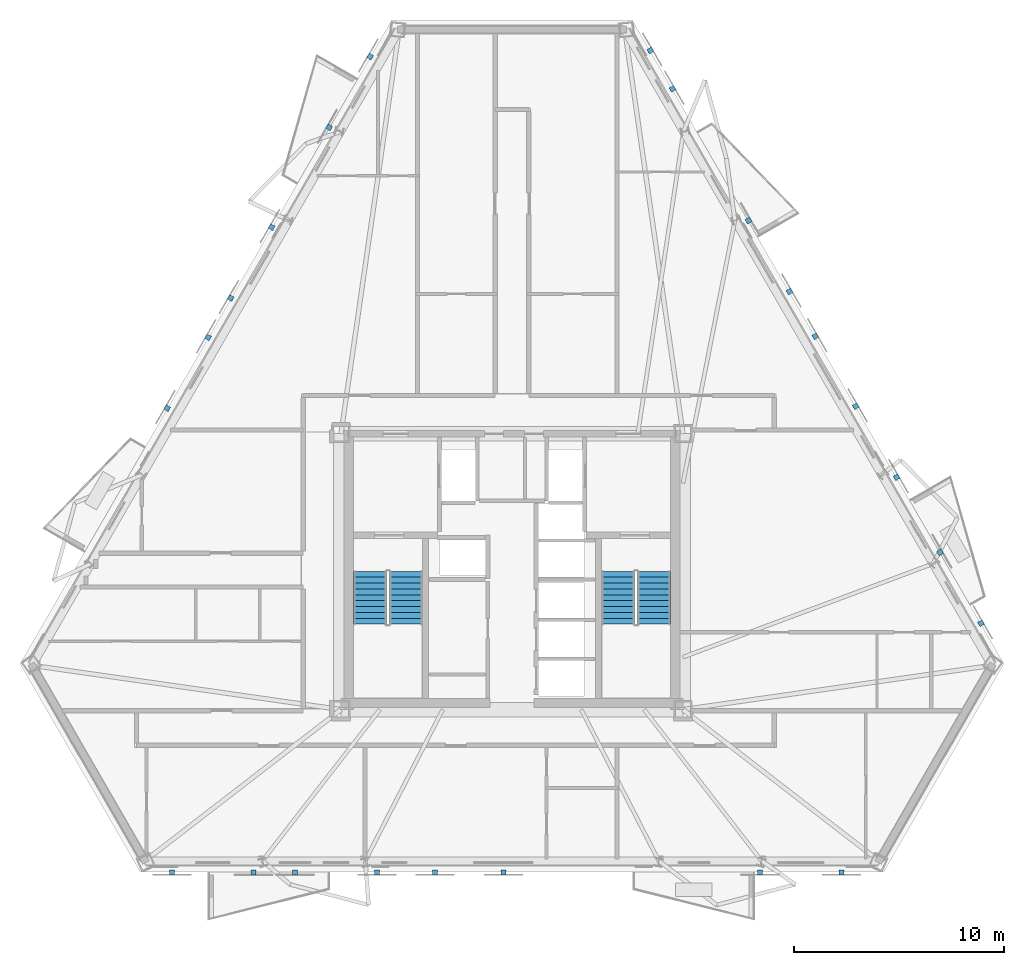
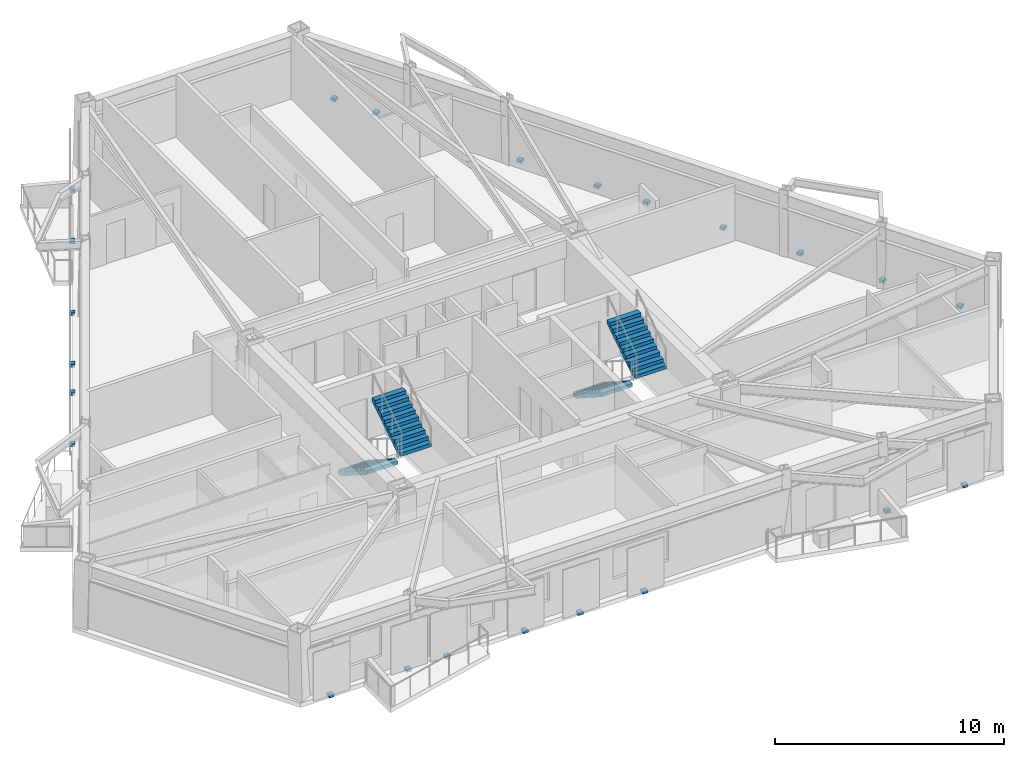
# One storey, part 6 of 9: 23 discrete accessories, 4 stair flights, 2 elements without a shape of their own.
"""IFC4 building model written with IfcOpenShell, lengths in metres."""

from ifc_helpers import new_model, si_unit, direction, frame, origin, origin_2d, place, context, subcontext, project, spatial, polyline, rectangle, outline, extrude, material, type_object, element, aggregate, save


model = new_model("IFC4")

# Units and contexts
model_context = context("Model", 3, precision=1e-05, world=origin(), true_north=direction((0.0, 1.0)))
body_context = subcontext(model_context, "Body", "Model", "MODEL_VIEW")
ifc_project = project(units=[si_unit("LENGTHUNIT", "METRE"), si_unit("AREAUNIT", "SQUARE_METRE"), si_unit("VOLUMEUNIT", "CUBIC_METRE"), si_unit("PLANEANGLEUNIT", "RADIAN"), si_unit("MASSUNIT", "GRAM", prefix="KILO")], contexts=[model_context])

# Site, building, storey
site_placement = place(None, origin())
site = spatial("IfcSite", under=ifc_project, at=site_placement, CompositionType="ELEMENT")
building_placement = place(site_placement, origin())
building = spatial("IfcBuilding", under=site, at=building_placement, Name="Oramaril Tower", CompositionType="ELEMENT")
storey_placement = place(building_placement, frame((0.0, 0.0, 119.39990234375)))
storey = spatial("IfcBuildingStorey", under=building, at=storey_placement, Name="L31", CompositionType="ELEMENT", Elevation=119.39990234375)

# Stair, stair flights
ifc_material_1 = material(Name="Concrete C50/60", Category="concrete")
stair_type = type_object("IfcStairType", Name="STT-DG-3600", PredefinedType="HALF_TURN_STAIR", material=ifc_material_1)
stair_1_placement = place(storey_placement, origin())
stair_1 = element("IfcStair", 1, at=stair_1_placement, inside=storey, type_object=stair_type, Name="L31 Protected PFP Exit Stair ST-1", PredefinedType="HALF_TURN_STAIR")
ifc_material_2 = material(Name="Concrete C50/60", Category="concrete")
stair_flight_type = type_object("IfcStairFlightType", Name="SFT-DG-3600", PredefinedType="STRAIGHT", material=ifc_material_2)
stair_flight_1_placement = place(storey_placement, frame((30.72998046875, 17.590087890625, 0.0), z_axis=(0.0, 0.0, 1.0), x_axis=(0.0, -1.0, 0.0)))
stair_flight_1 = element("IfcStairFlight", 2, at=stair_flight_1_placement, type_object=stair_flight_type, Name="ST-1 flight 1", NumberOfRisers=10, NumberOfTreads=9, PredefinedType="STRAIGHT", RiserHeight=0.18, TreadLength=0.28, context=body_context, shape_type="SweptSolid", body=[
    extrude(outline(polyline([(0.0, 0.0), (0.0, 0.179931640625), (0.280029296875, 0.179931640625), (0.280029296875, 0.360107421875), (0.56005859375, 0.360107421875), (0.56005859375, 0.5400390625), (0.840087890625, 0.5400390625), (0.840087890625, 0.719970703125), (1.1201171875, 0.719970703125), (1.1201171875, 0.89990234375), (1.39990234375, 0.89990234375), (1.39990234375, 1.080078125), (1.679931640625, 1.080078125), (1.679931640625, 1.260009765625), (1.9599609375, 1.260009765625), (1.9599609375, 1.43994140625), (2.239990234375, 1.43994140625), (2.239990234375, 1.6201171875), (2.52001953125, 1.6201171875), (2.52001953125, 1.800048828125), (2.52001953125, 1.44189453125), (0.277099609375, 0.0), (0.0, 0.0)])), frame((0.0, 0.780029296875, 0.0), z_axis=(0.0, -1.0, 0.0), x_axis=(1.0, 0.0, 0.0)), (0.0, 0.0, 1.0), 1.56005859375),
])
stair_flight_2_placement = place(storey_placement, frame((32.43994140625, 15.070068359375, 1.800048828125), z_axis=(0.0, 0.0, 1.0), x_axis=(0.0, 1.0, 0.0)))
stair_flight_2 = element("IfcStairFlight", 3, at=stair_flight_2_placement, type_object=stair_flight_type, Name="ST-1 flight 2", NumberOfRisers=10, NumberOfTreads=9, PredefinedType="STRAIGHT", RiserHeight=0.18, TreadLength=0.28, context=body_context, shape_type="SweptSolid", body=[
    extrude(outline(polyline([(0.0, 0.0), (0.0, 0.179931640625), (0.280029296875, 0.179931640625), (0.280029296875, 0.360107421875), (0.56005859375, 0.360107421875), (0.56005859375, 0.5400390625), (0.840087890625, 0.5400390625), (0.840087890625, 0.719970703125), (1.1201171875, 0.719970703125), (1.1201171875, 0.89990234375), (1.39990234375, 0.89990234375), (1.39990234375, 1.080078125), (1.679931640625, 1.080078125), (1.679931640625, 1.260009765625), (1.9599609375, 1.260009765625), (1.9599609375, 1.43994140625), (2.239990234375, 1.43994140625), (2.239990234375, 1.6201171875), (2.52001953125, 1.6201171875), (2.52001953125, 1.800048828125), (2.52001953125, 1.44189453125), (0.277099609375, 0.0), (0.0, 0.0)])), frame((0.0, 0.780029296875, 0.0), z_axis=(0.0, -1.0, 0.0), x_axis=(1.0, 0.0, 0.0)), (0.0, 0.0, 1.0), 1.56005859375),
])
aggregate(stair_1, [stair_flight_1, stair_flight_2])

stair_2_placement = place(storey_placement, origin())
stair_2 = element("IfcStair", 4, at=stair_2_placement, inside=storey, type_object=stair_type, Name="L31 Protected PFP Exit Stair ST-2", PredefinedType="HALF_TURN_STAIR")
stair_flight_3_placement = place(storey_placement, frame((42.56005859375, 17.590087890625, 0.0), z_axis=(0.0, 0.0, 1.0), x_axis=(0.0, -1.0, 0.0)))
stair_flight_3 = element("IfcStairFlight", 5, at=stair_flight_3_placement, type_object=stair_flight_type, Name="ST-2 flight 1", NumberOfRisers=10, NumberOfTreads=9, PredefinedType="STRAIGHT", RiserHeight=0.18, TreadLength=0.28, context=body_context, shape_type="SweptSolid", body=[
    extrude(outline(polyline([(0.0, 0.0), (0.0, 0.179931640625), (0.280029296875, 0.179931640625), (0.280029296875, 0.360107421875), (0.56005859375, 0.360107421875), (0.56005859375, 0.5400390625), (0.840087890625, 0.5400390625), (0.840087890625, 0.719970703125), (1.1201171875, 0.719970703125), (1.1201171875, 0.89990234375), (1.39990234375, 0.89990234375), (1.39990234375, 1.080078125), (1.679931640625, 1.080078125), (1.679931640625, 1.260009765625), (1.9599609375, 1.260009765625), (1.9599609375, 1.43994140625), (2.239990234375, 1.43994140625), (2.239990234375, 1.6201171875), (2.52001953125, 1.6201171875), (2.52001953125, 1.800048828125), (2.52001953125, 1.44189453125), (0.277099609375, 0.0), (0.0, 0.0)])), frame((0.0, 0.780029296875, 0.0), z_axis=(0.0, -1.0, 0.0), x_axis=(1.0, 0.0, 0.0)), (0.0, 0.0, 1.0), 1.56005859375),
])
stair_flight_4_placement = place(storey_placement, frame((44.27001953125, 15.070068359375, 1.800048828125), z_axis=(0.0, 0.0, 1.0), x_axis=(0.0, 1.0, 0.0)))
stair_flight_4 = element("IfcStairFlight", 6, at=stair_flight_4_placement, type_object=stair_flight_type, Name="ST-2 flight 2", NumberOfRisers=10, NumberOfTreads=9, PredefinedType="STRAIGHT", RiserHeight=0.18, TreadLength=0.28, context=body_context, shape_type="SweptSolid", body=[
    extrude(outline(polyline([(0.0, 0.0), (0.0, 0.179931640625), (0.280029296875, 0.179931640625), (0.280029296875, 0.360107421875), (0.56005859375, 0.360107421875), (0.56005859375, 0.5400390625), (0.840087890625, 0.5400390625), (0.840087890625, 0.719970703125), (1.1201171875, 0.719970703125), (1.1201171875, 0.89990234375), (1.39990234375, 0.89990234375), (1.39990234375, 1.080078125), (1.679931640625, 1.080078125), (1.679931640625, 1.260009765625), (1.9599609375, 1.260009765625), (1.9599609375, 1.43994140625), (2.239990234375, 1.43994140625), (2.239990234375, 1.6201171875), (2.52001953125, 1.6201171875), (2.52001953125, 1.800048828125), (2.52001953125, 1.44189453125), (0.277099609375, 0.0), (0.0, 0.0)])), frame((0.0, 0.780029296875, 0.0), z_axis=(0.0, -1.0, 0.0), x_axis=(1.0, 0.0, 0.0)), (0.0, 0.0, 1.0), 1.56005859375),
])
aggregate(stair_2, [stair_flight_3, stair_flight_4])

# Discrete accessories
for number, where, z_axis, x_axis, name in (
    (7, (21.28759765625, 3.23291015625, -0.1396484375), (0.0, 0.0, 1.0), (1.0, 0.0, 0.0), "L31 Solar Screen Slab Bracket"),
    (8, (25.1875, 3.23291015625, -0.1396484375), (0.0, 0.0, 1.0), (1.0, 0.0, 0.0), "L31 Solar Screen Slab Bracket"),
    (9, (27.163818359375, 3.23291015625, -0.1396484375), (0.0, 0.0, 1.0), (1.0, 0.0, 0.0), "L31 Solar Screen Slab Bracket"),
    (10, (31.06396484375, 3.23291015625, -0.1396484375), (0.0, 0.0, 1.0), (1.0, 0.0, 0.0), "L31 Solar Screen Slab Bracket"),
    (11, (33.833984375, 3.23291015625, -0.1396484375), (0.0, 0.0, 1.0), (1.0, 0.0, 0.0), "L31 Solar Screen Slab Bracket"),
    (12, (37.087890625, 3.23291015625, -0.1396484375), (0.0, 0.0, 1.0), (1.0, 0.0, 0.0), "L31 Solar Screen Slab Bracket"),
    (13, (49.3125, 3.23291015625, -0.1396484375), (0.0, 0.0, 1.0), (1.0, 0.0, 0.0), "L31 Solar Screen Slab Bracket"),
    (14, (53.21240234375, 3.23291015625, -0.1396484375), (0.0, 0.0, 1.0), (1.0, 0.0, 0.0), "L31 Solar Screen Slab Bracket"),
    (15, (59.852783203125, 15.117431640625, -0.1396484375), (0.0, 0.0, 1.0), (-0.5, 0.866025403784, 0.0), "L31 Solar Screen Slab Bracket"),
    (16, (57.90283203125, 18.4951171875, -0.1396484375), (0.0, 0.0, 1.0), (-0.5, 0.866025403784, 0.0), "L31 Solar Screen Slab Bracket"),
    (17, (55.83447265625, 22.077392578125, -0.1396484375), (0.0, 0.0, 1.0), (-0.5, 0.866025403784, 0.0), "L31 Solar Screen Slab Bracket"),
    (18, (53.884521484375, 25.454833984375, -0.1396484375), (0.0, 0.0, 1.0), (-0.5, 0.866025403784, 0.0), "L31 Solar Screen Slab Bracket"),
    (19, (45.148193359375, 40.5869140625, -0.1396484375), (0.0, 0.0, 1.0), (-0.5, 0.866025403784, 0.0), "L31 Solar Screen Slab Bracket"),
    (20, (51.9580078125, 28.7919921875, -0.1396484375), (0.0, 0.0, 1.0), (-0.5, 0.866025403784, 0.0), "L31 Solar Screen Slab Bracket"),
    (21, (50.72412109375, 30.9287109375, -0.1396484375), (0.0, 0.0, 1.0), (-0.5, 0.866025403784, 0.0), "L31 Solar Screen Slab Bracket"),
    (22, (48.774169921875, 34.30615234375, -0.1396484375), (0.0, 0.0, 1.0), (-0.5, 0.866025403784, 0.0), "L31 Solar Screen Slab Bracket"),
    (23, (44.09423828125, 42.412109375, -0.1396484375), (0.0, 0.0, 1.0), (-0.5, 0.866025403784, 0.0), "L31 Solar Screen Slab Bracket"),
    (24, (26.045654296875, 33.994140625, -0.1396484375), (0.0, 0.0, 1.0), (-0.5, -0.866025403784, 0.0), "L31 Solar Screen Slab Bracket"),
    (25, (24.095703125, 30.61669921875, -0.1396484375), (0.0, 0.0, 1.0), (-0.5, -0.866025403784, 0.0), "L31 Solar Screen Slab Bracket"),
    (26, (23.014892578125, 28.74462890625, -0.1396484375), (0.0, 0.0, 1.0), (-0.5, -0.866025403784, 0.0), "L31 Solar Screen Slab Bracket"),
    (27, (21.064697265625, 25.3671875, -0.1396484375), (0.0, 0.0, 1.0), (-0.5, -0.866025403784, 0.0), "L31 Solar Screen Slab Bracket"),
    (28, (30.739013671875, 42.123291015625, -0.1396484375), (0.0, 0.0, 1.0), (-0.5, -0.866025403784, 0.0), "L31 Solar Screen Slab Bracket"),
    (29, (28.7890625, 38.745849609375, -0.1396484375), (0.0, 0.0, 1.0), (-0.5, -0.866025403784, 0.0), "L31 Solar Screen Slab Bracket"),
):
    element("IfcDiscreteAccessory", number, at=place(storey_placement, frame(where, z_axis=z_axis, x_axis=x_axis)), inside=storey, Name=name, PredefinedType="BRACKET", context=body_context, shape_type="SweptSolid", body=[
        extrude(rectangle(XDim=0.239990234375, YDim=0.239990234375, at=origin_2d()), origin(), (0.0, 0.0, 1.0), 0.159912109375),
    ])

save(model, "model.ifc")
